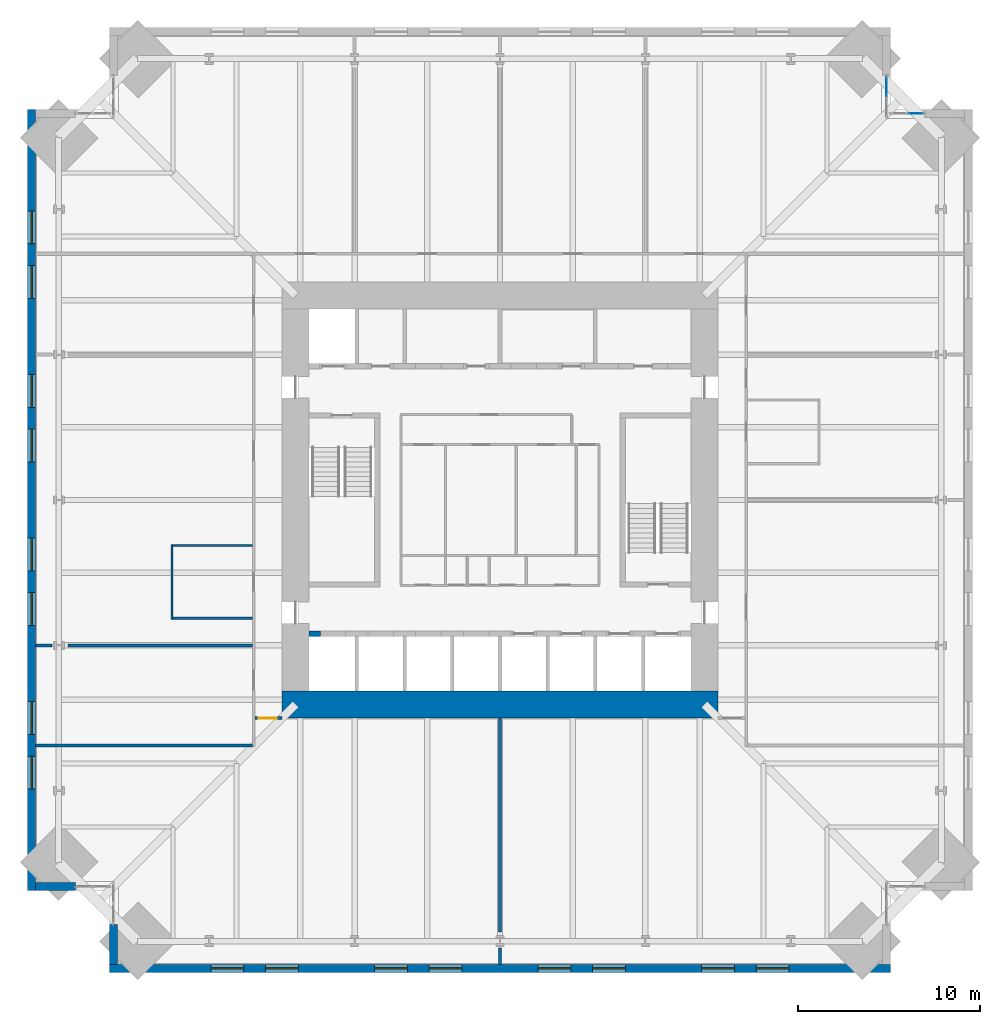
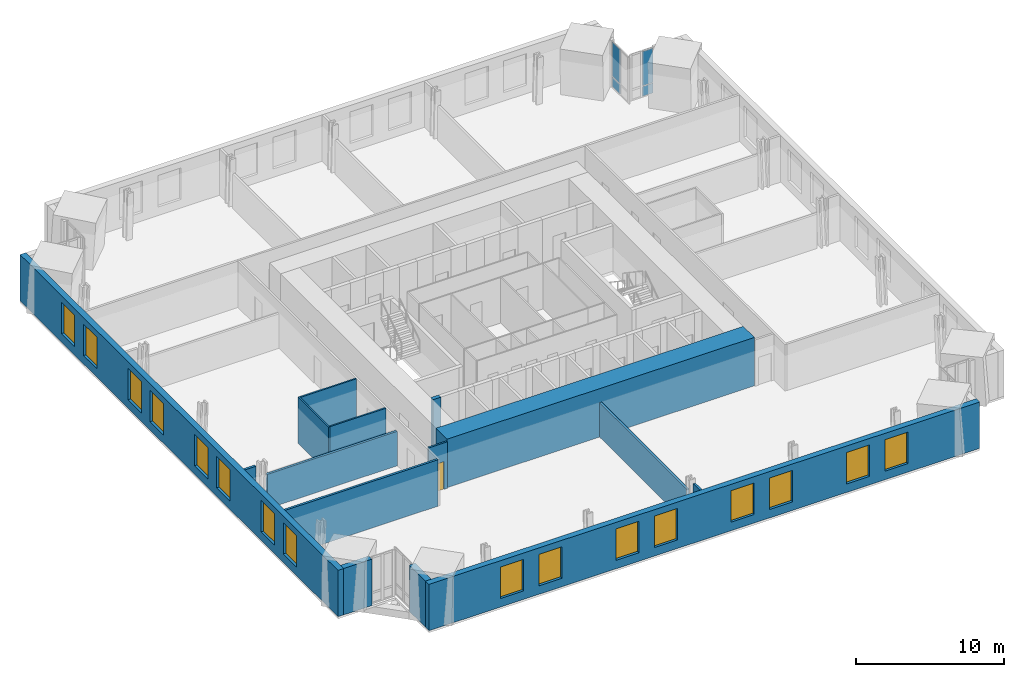
# One storey, part 13 of 18: 16 windows, 15 walls, 4 plates, 1 door, 17 openings, 2 elements without a shape of their own.
"""IFC4 building model written with IfcOpenShell, lengths in metres."""

import ifcopenshell
import ifcopenshell.guid

model = None  # the IFC model being written
_history = None  # IfcOwnerHistory: only IFC2X3 demands one
_inside = {}  # id of a spatial element -> (the spatial element, [elements in it])
_under = {}  # id of a project, library or spatial element -> (it, [spatial elements below it])
_declared = {}  # id of a project -> (the project, [libraries it declares])
_typed = {}  # id of a type object -> (the type object, [elements of that type])
_made_of = {}  # id of a material, layer set ... -> (it, [elements and type objects made of it])


def new_model(schema):
    """Start an empty IFC model of exactly this schema.

    Asked for "IFC4X3", IfcOpenShell would pick the latest addendum, in which some entities
    have other attributes; the version numbers below select the first issue.
    IFC2X3 requires an IfcOwnerHistory on every rooted entity: one is made here for all.
    """
    global model, _history
    if schema == "IFC4X3":
        model = ifcopenshell.file(schema_version=(4, 3, 0, 0))
    else:
        model = ifcopenshell.file(schema=schema)
    _inside.clear()
    _under.clear()
    _declared.clear()
    _typed.clear()
    _made_of.clear()
    _history = None
    if model.schema == "IFC2X3":
        org = make("IfcOrganization", Name="unknown")
        user = make(
            "IfcPersonAndOrganization",
            ThePerson=make("IfcPerson", FamilyName="unknown"),
            TheOrganization=org,
        )
        app = make(
            "IfcApplication",
            ApplicationDeveloper=org,
            Version="unknown",
            ApplicationFullName="unknown",
            ApplicationIdentifier="unknown",
        )
        _history = make(
            "IfcOwnerHistory",
            OwningUser=user,
            OwningApplication=app,
            ChangeAction="ADDED",
            CreationDate=0,
        )
    return model


def make(cls, **values):
    """One entity of the class cls with the attributes given. An attribute that is None is left unset."""
    return model.create_entity(
        cls, **{name: value for name, value in values.items() if value is not None}
    )


def rooted(cls, **values):
    """An entity with a GlobalId (a new one), such as an element, a storey or a relation."""
    return make(cls, GlobalId=ifcopenshell.guid.new(), OwnerHistory=_history, **values)


def si_unit(unit_type, name, prefix=None):
    """IfcSIUnit, for example si_unit("LENGTHUNIT", "METRE", prefix="MILLI")."""
    return make("IfcSIUnit", UnitType=unit_type, Prefix=prefix, Name=name)


def assignment(units):
    """IfcUnitAssignment: the units of a project."""
    return None if units is None else make("IfcUnitAssignment", Units=units)


def point(xyz):
    """IfcCartesianPoint."""
    return None if xyz is None else make("IfcCartesianPoint", Coordinates=xyz)


def direction(xyz):
    """IfcDirection."""
    return None if xyz is None else make("IfcDirection", DirectionRatios=xyz)


def frame(location, z_axis=None, x_axis=None):
    """IfcAxis2Placement3D, a coordinate frame: its origin and axes. An axis left out is left unset."""
    return make(
        "IfcAxis2Placement3D",
        Location=point(location),
        Axis=direction(z_axis),
        RefDirection=direction(x_axis),
    )


def frame_2d(location, x_axis=None):
    """IfcAxis2Placement2D, a coordinate frame in the plane: its origin and x axis."""
    return make(
        "IfcAxis2Placement2D", Location=point(location), RefDirection=direction(x_axis)
    )


def origin():
    """The frame at (0, 0, 0) with its axes left unset."""
    return frame((0.0, 0.0, 0.0))


def origin_2d():
    """The frame at (0, 0) in the plane with its x axis left unset."""
    return frame_2d((0.0, 0.0))


def place(relative_to, where):
    """IfcLocalPlacement: puts the frame where relative to a parent placement (None: the world)."""
    return make(
        "IfcLocalPlacement", PlacementRelTo=relative_to, RelativePlacement=where
    )


def context(
    kind, dimensions, precision=None, world=None, true_north=None, identifier=None
):
    """IfcGeometricRepresentationContext, for example the 3D "Model" context."""
    return make(
        "IfcGeometricRepresentationContext",
        ContextIdentifier=identifier,
        ContextType=kind,
        CoordinateSpaceDimension=dimensions,
        Precision=precision,
        WorldCoordinateSystem=world,
        TrueNorth=true_north,
    )


def subcontext(parent, identifier, kind, view, scale=None):
    """IfcGeometricRepresentationSubContext, for example "Body" below "Model"."""
    return make(
        "IfcGeometricRepresentationSubContext",
        ContextIdentifier=identifier,
        ContextType=kind,
        ParentContext=parent,
        TargetScale=scale,
        TargetView=view,
    )


def project(units=None, contexts=None):
    """IfcProject with its units and contexts."""
    return rooted(
        "IfcProject",
        Name="project",
        RepresentationContexts=contexts,
        UnitsInContext=assignment(units),
    )


def spatial(cls, under=None, at=None, **own):
    """A site, building, storey or space (cls), placed at a placement, below another one or the project."""
    s = rooted(cls, ObjectPlacement=at, **own)
    if under is not None:
        _under.setdefault(under.id(), (under, []))[1].append(s)
    return s


def profile(cls, at=None, kind="AREA", **sizes):
    """A parametric profile (cls). Its sizes go by their IFC names, for example OverallWidth=200.0."""
    return make(cls, ProfileType=kind, Position=at, **sizes)


def rectangle(**sizes):
    """IfcRectangleProfileDef."""
    return profile("IfcRectangleProfileDef", **sizes)


def extrude(swept, where, along, depth):
    """IfcExtrudedAreaSolid: the profile swept, set in the frame where, extruded along a direction by depth."""
    return make(
        "IfcExtrudedAreaSolid",
        SweptArea=swept,
        Position=where,
        ExtrudedDirection=direction(along),
        Depth=depth,
    )


def shape(context_of_items, identifier, shape_type, items):
    """IfcShapeRepresentation: the items that make up one representation, for example the "Body"."""
    return make(
        "IfcShapeRepresentation",
        ContextOfItems=context_of_items,
        RepresentationIdentifier=identifier,
        RepresentationType=shape_type,
        Items=items,
    )


def material(Name=None, Category=None):
    """IfcMaterial."""
    return make("IfcMaterial", Name=Name, Category=Category)


def layer(
    of_material, thickness, ventilated=None, Name=None, Category=None, Priority=None
):
    """IfcMaterialLayer: one layer of a wall or slab, of a material (None: an air gap)."""
    return make(
        "IfcMaterialLayer",
        Material=of_material,
        LayerThickness=thickness,
        IsVentilated=ventilated,
        Name=Name,
        Category=Category,
        Priority=Priority,
    )


def layer_set(layers, Name=None):
    """IfcMaterialLayerSet."""
    return make("IfcMaterialLayerSet", MaterialLayers=layers, LayerSetName=Name)


def made_of(thing, what):
    """Note that an element or type object is made of a material, layer set ...; save() writes the relation."""
    if what is not None:
        _made_of.setdefault(what.id(), (what, []))[1].append(thing)
    return thing


def type_object(cls, material=None, **own):
    """A type object (cls), such as IfcWallType, which elements share."""
    return made_of(rooted(cls, **own), material)


def element(
    cls,
    number,
    at=None,
    inside=None,
    cuts=None,
    type_object=None,
    material=None,
    context=None,
    identifier="Body",
    shape_type=None,
    held_by="IfcProductDefinitionShape",
    body=None,
    shapes=None,
    **own,
):
    """One element of the class cls, such as IfcWall. Its Tag is "e" and its number.

    at: its placement. inside: the storey or other place that contains it. cuts: it is an
    opening in that element (IfcRelVoidsElement). A single representation is given by context,
    identifier, shape_type and body (its items); several are given by shapes. held_by: the class
    of the entity that holds the representations. save() writes the other relations.
    """
    e = rooted(cls, Tag="e%d" % number, ObjectPlacement=at, **own)
    if body is not None:
        shapes = [shape(context, identifier, shape_type, body)]
    if shapes is not None:
        e.Representation = make(held_by, Representations=shapes)
    if inside is not None:
        _inside.setdefault(inside.id(), (inside, []))[1].append(e)
    if cuts is not None:
        rooted(
            "IfcRelVoidsElement", RelatingBuildingElement=cuts, RelatedOpeningElement=e
        )
    if type_object is not None:
        _typed.setdefault(type_object.id(), (type_object, []))[1].append(e)
    return made_of(e, material)


def fill(opening, filler):
    """IfcRelFillsElement: the door or window that sits in an opening."""
    return rooted(
        "IfcRelFillsElement",
        RelatingOpeningElement=opening,
        RelatedBuildingElement=filler,
    )


def aggregate(whole, parts):
    """IfcRelAggregates: a whole, such as a stair, and the parts it consists of."""
    return rooted("IfcRelAggregates", RelatingObject=whole, RelatedObjects=parts)


def save(model, path):
    """Write the relations noted so far, then the file.

    IfcRelAggregates (storeys below a building ...), IfcRelContainedInSpatialStructure (elements
    in a storey), IfcRelDefinesByType, IfcRelAssociatesMaterial and IfcRelDeclares: one each for
    every whole, place, type object, material and project.
    """
    for whole, parts in _under.values():
        aggregate(whole, parts)
    for where, things in _inside.values():
        rooted(
            "IfcRelContainedInSpatialStructure",
            RelatedElements=things,
            RelatingStructure=where,
        )
    for kind, things in _typed.values():
        rooted("IfcRelDefinesByType", RelatedObjects=things, RelatingType=kind)
    for what, things in _made_of.values():
        rooted("IfcRelAssociatesMaterial", RelatedObjects=things, RelatingMaterial=what)
    for by, libraries in _declared.values():
        rooted("IfcRelDeclares", RelatingContext=by, RelatedDefinitions=libraries)
    model.write(path)


model = new_model("IFC4")

# Units and contexts
model_context = context("Model", 3, precision=1e-05, world=origin(), true_north=direction((0.0, 1.0)))
body_context = subcontext(model_context, "Body", "Model", "MODEL_VIEW")
ifc_project = project(units=[si_unit("LENGTHUNIT", "METRE"), si_unit("AREAUNIT", "SQUARE_METRE"), si_unit("VOLUMEUNIT", "CUBIC_METRE"), si_unit("PLANEANGLEUNIT", "RADIAN"), si_unit("MASSUNIT", "GRAM", prefix="KILO")], contexts=[model_context])

# Site, building, storey
site_placement = place(None, origin())
site = spatial("IfcSite", under=ifc_project, at=site_placement, CompositionType="ELEMENT")
building_placement = place(site_placement, origin())
building = spatial("IfcBuilding", under=site, at=building_placement, Name="Peilmerk Tower", CompositionType="ELEMENT")
storey_placement = place(building_placement, frame((0.0, 0.0, 163.800048828125)))
storey = spatial("IfcBuildingStorey", under=building, at=storey_placement, Name="L34", CompositionType="ELEMENT", Elevation=163.800048828125)

# Curtain wall, plates
ifc_material_1 = material(Name="Aluminium stick curtain wall", Category="aluminium")
curtain_wall_type = type_object("IfcCurtainWallType", Name="CW3 stick curtain wall, 2250 module", PredefinedType="NOTDEFINED", material=ifc_material_1)
curtain_wall_1_placement = place(storey_placement, origin())
curtain_wall_1 = element("IfcCurtainWall", 1, at=curtain_wall_1_placement, inside=storey, type_object=curtain_wall_type, Name="Curtain wall CW3 NEA L34", PredefinedType="NOTDEFINED")
ifc_material_2 = material(Name="Clear insulated glazing unit", Category="glass")
ifc_layer_1 = layer(ifc_material_2, 0.028076171875)
ifc_layer_set_1 = layer_set([ifc_layer_1], Name="Clear insulated glazing unit")
plate_type = type_object("IfcPlateType", Name="CW3-P 28 glazed panel", PredefinedType="CURTAIN_PANEL", material=ifc_layer_set_1)
plate_1_placement = place(storey_placement, frame((21.27490234375, 22.750244140625, 0.06494140625), z_axis=(0.0, 0.0, 1.0), x_axis=(0.0, 1.0, 0.0)))
plate_1 = element("IfcPlate", 2, at=plate_1_placement, type_object=plate_type, Name="CW3 panel 2.1", PredefinedType="CURTAIN_PANEL", context=body_context, shape_type="SweptSolid", body=[
    extrude(rectangle(XDim=1.046875, YDim=0.028076171875, at=origin_2d()), origin(), (0.0, 0.0, 1.0), 0.802490234375),
])
plate_2_placement = place(storey_placement, frame((21.27490234375, 22.750244140625, 0.932373046875), z_axis=(0.0, 0.0, 1.0), x_axis=(0.0, 1.0, 0.0)))
plate_2 = element("IfcPlate", 3, at=plate_2_placement, type_object=plate_type, Name="CW3 panel 2.2", PredefinedType="CURTAIN_PANEL", context=body_context, shape_type="SweptSolid", body=[
    extrude(rectangle(XDim=1.046875, YDim=0.028076171875, at=origin_2d()), origin(), (0.0, 0.0, 1.0), 2.83251953125),
])
aggregate(curtain_wall_1, [plate_1, plate_2])

curtain_wall_2_placement = place(storey_placement, origin())
curtain_wall_2 = element("IfcCurtainWall", 4, at=curtain_wall_2_placement, inside=storey, type_object=curtain_wall_type, Name="Curtain wall CW3 NEB L34", PredefinedType="NOTDEFINED")
plate_3_placement = place(storey_placement, frame((22.86279296875, 21.27490234375, 0.06494140625), z_axis=(0.0, 0.0, 1.0), x_axis=(1.0, 0.0, 0.0)))
plate_3 = element("IfcPlate", 5, at=plate_3_placement, type_object=plate_type, Name="CW3 panel 2.1", PredefinedType="CURTAIN_PANEL", context=body_context, shape_type="SweptSolid", body=[
    extrude(rectangle(XDim=0.82177734375, YDim=0.028076171875, at=origin_2d()), origin(), (0.0, 0.0, 1.0), 0.802490234375),
])
plate_4_placement = place(storey_placement, frame((22.86279296875, 21.27490234375, 0.932373046875), z_axis=(0.0, 0.0, 1.0), x_axis=(1.0, 0.0, 0.0)))
plate_4 = element("IfcPlate", 6, at=plate_4_placement, type_object=plate_type, Name="CW3 panel 2.2", PredefinedType="CURTAIN_PANEL", context=body_context, shape_type="SweptSolid", body=[
    extrude(rectangle(XDim=0.82177734375, YDim=0.028076171875, at=origin_2d()), origin(), (0.0, 0.0, 1.0), 2.83251953125),
])
aggregate(curtain_wall_2, [plate_3, plate_4])

# Wall, openings, windows
ifc_material_3 = material(Name="Precast concrete C45/55, board-marked finish", Category="concrete")
ifc_layer_2 = layer(ifc_material_3, 0.449951171875)
ifc_layer_set_2 = layer_set([ifc_layer_2], Name="Precast concrete C45/55, board-marked finish")
wall_type_1 = type_object("IfcWallType", Name="EW1 450 precast concrete facade wall, board-marked", PredefinedType="SOLIDWALL", material=ifc_layer_set_2)
wall_1_placement = place(storey_placement, frame((-21.5, -25.77490234375, 0.0), z_axis=(0.0, 0.0, 1.0), x_axis=(1.0, 0.0, 0.0)))
wall_1 = element("IfcWall", 7, at=wall_1_placement, inside=storey, type_object=wall_type_1, Name="Facade wall S L34", PredefinedType="SOLIDWALL", context=body_context, shape_type="SweptSolid", body=[
    extrude(rectangle(XDim=43.0, YDim=0.449951171875, at=frame_2d((21.5, 0.0))), origin(), (0.0, 0.0, 1.0), 3.829833984375),
])
opening_1_placement = place(wall_1_placement, frame((5.60009765625, 0.0, 0.699951171875)))
opening_1 = element("IfcOpeningElement", 8, at=opening_1_placement, cuts=wall_1, Name="Opening W1", PredefinedType="OPENING", context=body_context, shape_type="SweptSolid", body=[
    extrude(rectangle(XDim=1.800048828125, YDim=2.60009765625, at=frame_2d((0.89990234375, 1.300048828125))), frame((0.0, 0.23486328125, 0.0), z_axis=(0.0, -1.0, 0.0), x_axis=(1.0, 0.0, 0.0)), (0.0, 0.0, 1.0), 0.469970703125),
])
opening_2_placement = place(wall_1_placement, frame((8.60009765625, 0.0, 0.699951171875)))
opening_2 = element("IfcOpeningElement", 9, at=opening_2_placement, cuts=wall_1, Name="Opening W1", PredefinedType="OPENING", context=body_context, shape_type="SweptSolid", body=[
    extrude(rectangle(XDim=1.800048828125, YDim=2.60009765625, at=frame_2d((0.89990234375, 1.300048828125))), frame((0.0, 0.23486328125, 0.0), z_axis=(0.0, -1.0, 0.0), x_axis=(1.0, 0.0, 0.0)), (0.0, 0.0, 1.0), 0.469970703125),
])
opening_3_placement = place(wall_1_placement, frame((14.60009765625, 0.0, 0.699951171875)))
opening_3 = element("IfcOpeningElement", 10, at=opening_3_placement, cuts=wall_1, Name="Opening W1", PredefinedType="OPENING", context=body_context, shape_type="SweptSolid", body=[
    extrude(rectangle(XDim=1.800048828125, YDim=2.60009765625, at=frame_2d((0.89990234375, 1.300048828125))), frame((0.0, 0.23486328125, 0.0), z_axis=(0.0, -1.0, 0.0), x_axis=(1.0, 0.0, 0.0)), (0.0, 0.0, 1.0), 0.469970703125),
])
opening_4_placement = place(wall_1_placement, frame((17.60009765625, 0.0, 0.699951171875)))
opening_4 = element("IfcOpeningElement", 11, at=opening_4_placement, cuts=wall_1, Name="Opening W1", PredefinedType="OPENING", context=body_context, shape_type="SweptSolid", body=[
    extrude(rectangle(XDim=1.800048828125, YDim=2.60009765625, at=frame_2d((0.89990234375, 1.300048828125))), frame((0.0, 0.23486328125, 0.0), z_axis=(0.0, -1.0, 0.0), x_axis=(1.0, 0.0, 0.0)), (0.0, 0.0, 1.0), 0.469970703125),
])
opening_5_placement = place(wall_1_placement, frame((23.60009765625, 0.0, 0.699951171875)))
opening_5 = element("IfcOpeningElement", 12, at=opening_5_placement, cuts=wall_1, Name="Opening W1", PredefinedType="OPENING", context=body_context, shape_type="SweptSolid", body=[
    extrude(rectangle(XDim=1.800048828125, YDim=2.60009765625, at=frame_2d((0.89990234375, 1.300048828125))), frame((0.0, 0.23486328125, 0.0), z_axis=(0.0, -1.0, 0.0), x_axis=(1.0, 0.0, 0.0)), (0.0, 0.0, 1.0), 0.469970703125),
])
opening_6_placement = place(wall_1_placement, frame((26.60009765625, 0.0, 0.699951171875)))
opening_6 = element("IfcOpeningElement", 13, at=opening_6_placement, cuts=wall_1, Name="Opening W1", PredefinedType="OPENING", context=body_context, shape_type="SweptSolid", body=[
    extrude(rectangle(XDim=1.800048828125, YDim=2.60009765625, at=frame_2d((0.89990234375, 1.300048828125))), frame((0.0, 0.23486328125, 0.0), z_axis=(0.0, -1.0, 0.0), x_axis=(1.0, 0.0, 0.0)), (0.0, 0.0, 1.0), 0.469970703125),
])
opening_7_placement = place(wall_1_placement, frame((32.60009765625, 0.0, 0.699951171875)))
opening_7 = element("IfcOpeningElement", 14, at=opening_7_placement, cuts=wall_1, Name="Opening W1", PredefinedType="OPENING", context=body_context, shape_type="SweptSolid", body=[
    extrude(rectangle(XDim=1.800048828125, YDim=2.60009765625, at=frame_2d((0.89990234375, 1.300048828125))), frame((0.0, 0.23486328125, 0.0), z_axis=(0.0, -1.0, 0.0), x_axis=(1.0, 0.0, 0.0)), (0.0, 0.0, 1.0), 0.469970703125),
])
opening_8_placement = place(wall_1_placement, frame((35.60009765625, 0.0, 0.699951171875)))
opening_8 = element("IfcOpeningElement", 15, at=opening_8_placement, cuts=wall_1, Name="Opening W1", PredefinedType="OPENING", context=body_context, shape_type="SweptSolid", body=[
    extrude(rectangle(XDim=1.800048828125, YDim=2.60009765625, at=frame_2d((0.89990234375, 1.300048828125))), frame((0.0, 0.23486328125, 0.0), z_axis=(0.0, -1.0, 0.0), x_axis=(1.0, 0.0, 0.0)), (0.0, 0.0, 1.0), 0.469970703125),
])
ifc_material_4 = material(Name="Aluminium frame, clear double glazing", Category="aluminium")
window_type = type_object("IfcWindowType", Name="W1 1800x2600 office window", PartitioningType="SINGLE_PANEL", PredefinedType="WINDOW", material=ifc_material_4)
window_1_placement = place(opening_1_placement, origin())
window_1 = element("IfcWindow", 16, at=window_1_placement, inside=storey, type_object=window_type, Name="Window W1 L34", OverallHeight=2.60009765625, OverallWidth=1.800048828125, PartitioningType="SINGLE_PANEL", PredefinedType="WINDOW", context=body_context, shape_type="SweptSolid", body=[
    extrude(rectangle(XDim=1.800048828125, YDim=2.60009765625, at=frame_2d((0.89990234375, 1.300048828125))), frame((0.0, 0.030029296875, 0.0), z_axis=(0.0, -1.0, 0.0), x_axis=(1.0, 0.0, 0.0)), (0.0, 0.0, 1.0), 0.06005859375),
])
fill(opening_1, window_1)
window_2_placement = place(opening_2_placement, origin())
window_2 = element("IfcWindow", 17, at=window_2_placement, inside=storey, type_object=window_type, Name="Window W1 L34", OverallHeight=2.60009765625, OverallWidth=1.800048828125, PartitioningType="SINGLE_PANEL", PredefinedType="WINDOW", context=body_context, shape_type="SweptSolid", body=[
    extrude(rectangle(XDim=1.800048828125, YDim=2.60009765625, at=frame_2d((0.89990234375, 1.300048828125))), frame((0.0, 0.030029296875, 0.0), z_axis=(0.0, -1.0, 0.0), x_axis=(1.0, 0.0, 0.0)), (0.0, 0.0, 1.0), 0.06005859375),
])
fill(opening_2, window_2)
window_3_placement = place(opening_3_placement, origin())
window_3 = element("IfcWindow", 18, at=window_3_placement, inside=storey, type_object=window_type, Name="Window W1 L34", OverallHeight=2.60009765625, OverallWidth=1.800048828125, PartitioningType="SINGLE_PANEL", PredefinedType="WINDOW", context=body_context, shape_type="SweptSolid", body=[
    extrude(rectangle(XDim=1.800048828125, YDim=2.60009765625, at=frame_2d((0.89990234375, 1.300048828125))), frame((0.0, 0.030029296875, 0.0), z_axis=(0.0, -1.0, 0.0), x_axis=(1.0, 0.0, 0.0)), (0.0, 0.0, 1.0), 0.06005859375),
])
fill(opening_3, window_3)
window_4_placement = place(opening_4_placement, origin())
window_4 = element("IfcWindow", 19, at=window_4_placement, inside=storey, type_object=window_type, Name="Window W1 L34", OverallHeight=2.60009765625, OverallWidth=1.800048828125, PartitioningType="SINGLE_PANEL", PredefinedType="WINDOW", context=body_context, shape_type="SweptSolid", body=[
    extrude(rectangle(XDim=1.800048828125, YDim=2.60009765625, at=frame_2d((0.89990234375, 1.300048828125))), frame((0.0, 0.030029296875, 0.0), z_axis=(0.0, -1.0, 0.0), x_axis=(1.0, 0.0, 0.0)), (0.0, 0.0, 1.0), 0.06005859375),
])
fill(opening_4, window_4)
window_5_placement = place(opening_5_placement, origin())
window_5 = element("IfcWindow", 20, at=window_5_placement, inside=storey, type_object=window_type, Name="Window W1 L34", OverallHeight=2.60009765625, OverallWidth=1.800048828125, PartitioningType="SINGLE_PANEL", PredefinedType="WINDOW", context=body_context, shape_type="SweptSolid", body=[
    extrude(rectangle(XDim=1.800048828125, YDim=2.60009765625, at=frame_2d((0.89990234375, 1.300048828125))), frame((0.0, 0.030029296875, 0.0), z_axis=(0.0, -1.0, 0.0), x_axis=(1.0, 0.0, 0.0)), (0.0, 0.0, 1.0), 0.06005859375),
])
fill(opening_5, window_5)
window_6_placement = place(opening_6_placement, origin())
window_6 = element("IfcWindow", 21, at=window_6_placement, inside=storey, type_object=window_type, Name="Window W1 L34", OverallHeight=2.60009765625, OverallWidth=1.800048828125, PartitioningType="SINGLE_PANEL", PredefinedType="WINDOW", context=body_context, shape_type="SweptSolid", body=[
    extrude(rectangle(XDim=1.800048828125, YDim=2.60009765625, at=frame_2d((0.89990234375, 1.300048828125))), frame((0.0, 0.030029296875, 0.0), z_axis=(0.0, -1.0, 0.0), x_axis=(1.0, 0.0, 0.0)), (0.0, 0.0, 1.0), 0.06005859375),
])
fill(opening_6, window_6)
window_7_placement = place(opening_7_placement, origin())
window_7 = element("IfcWindow", 22, at=window_7_placement, inside=storey, type_object=window_type, Name="Window W1 L34", OverallHeight=2.60009765625, OverallWidth=1.800048828125, PartitioningType="SINGLE_PANEL", PredefinedType="WINDOW", context=body_context, shape_type="SweptSolid", body=[
    extrude(rectangle(XDim=1.800048828125, YDim=2.60009765625, at=frame_2d((0.89990234375, 1.300048828125))), frame((0.0, 0.030029296875, 0.0), z_axis=(0.0, -1.0, 0.0), x_axis=(1.0, 0.0, 0.0)), (0.0, 0.0, 1.0), 0.06005859375),
])
fill(opening_7, window_7)
window_8_placement = place(opening_8_placement, origin())
window_8 = element("IfcWindow", 23, at=window_8_placement, inside=storey, type_object=window_type, Name="Window W1 L34", OverallHeight=2.60009765625, OverallWidth=1.800048828125, PartitioningType="SINGLE_PANEL", PredefinedType="WINDOW", context=body_context, shape_type="SweptSolid", body=[
    extrude(rectangle(XDim=1.800048828125, YDim=2.60009765625, at=frame_2d((0.89990234375, 1.300048828125))), frame((0.0, 0.030029296875, 0.0), z_axis=(0.0, -1.0, 0.0), x_axis=(1.0, 0.0, 0.0)), (0.0, 0.0, 1.0), 0.06005859375),
])
fill(opening_8, window_8)

wall_2_placement = place(storey_placement, frame((-25.77490234375, 21.5, 0.0), z_axis=(0.0, 0.0, 1.0), x_axis=(0.0, -1.0, 0.0)))
wall_2 = element("IfcWall", 24, at=wall_2_placement, inside=storey, type_object=wall_type_1, Name="Facade wall W L34", PredefinedType="SOLIDWALL", context=body_context, shape_type="SweptSolid", body=[
    extrude(rectangle(XDim=43.0, YDim=0.449951171875, at=frame_2d((21.5, 0.0))), origin(), (0.0, 0.0, 1.0), 3.829833984375),
])
opening_9_placement = place(wall_2_placement, frame((5.60009765625, 0.0, 0.699951171875)))
opening_9 = element("IfcOpeningElement", 25, at=opening_9_placement, cuts=wall_2, Name="Opening W1", PredefinedType="OPENING", context=body_context, shape_type="SweptSolid", body=[
    extrude(rectangle(XDim=1.800048828125, YDim=2.60009765625, at=frame_2d((0.89990234375, 1.300048828125))), frame((0.0, 0.23486328125, 0.0), z_axis=(0.0, -1.0, 0.0), x_axis=(1.0, 0.0, 0.0)), (0.0, 0.0, 1.0), 0.469970703125),
])
opening_10_placement = place(wall_2_placement, frame((8.60009765625, 0.0, 0.699951171875)))
opening_10 = element("IfcOpeningElement", 26, at=opening_10_placement, cuts=wall_2, Name="Opening W1", PredefinedType="OPENING", context=body_context, shape_type="SweptSolid", body=[
    extrude(rectangle(XDim=1.800048828125, YDim=2.60009765625, at=frame_2d((0.89990234375, 1.300048828125))), frame((0.0, 0.23486328125, 0.0), z_axis=(0.0, -1.0, 0.0), x_axis=(1.0, 0.0, 0.0)), (0.0, 0.0, 1.0), 0.469970703125),
])
opening_11_placement = place(wall_2_placement, frame((14.60009765625, 0.0, 0.699951171875)))
opening_11 = element("IfcOpeningElement", 27, at=opening_11_placement, cuts=wall_2, Name="Opening W1", PredefinedType="OPENING", context=body_context, shape_type="SweptSolid", body=[
    extrude(rectangle(XDim=1.800048828125, YDim=2.60009765625, at=frame_2d((0.89990234375, 1.300048828125))), frame((0.0, 0.23486328125, 0.0), z_axis=(0.0, -1.0, 0.0), x_axis=(1.0, 0.0, 0.0)), (0.0, 0.0, 1.0), 0.469970703125),
])
opening_12_placement = place(wall_2_placement, frame((17.60009765625, 0.0, 0.699951171875)))
opening_12 = element("IfcOpeningElement", 28, at=opening_12_placement, cuts=wall_2, Name="Opening W1", PredefinedType="OPENING", context=body_context, shape_type="SweptSolid", body=[
    extrude(rectangle(XDim=1.800048828125, YDim=2.60009765625, at=frame_2d((0.89990234375, 1.300048828125))), frame((0.0, 0.23486328125, 0.0), z_axis=(0.0, -1.0, 0.0), x_axis=(1.0, 0.0, 0.0)), (0.0, 0.0, 1.0), 0.469970703125),
])
opening_13_placement = place(wall_2_placement, frame((23.60009765625, 0.0, 0.699951171875)))
opening_13 = element("IfcOpeningElement", 29, at=opening_13_placement, cuts=wall_2, Name="Opening W1", PredefinedType="OPENING", context=body_context, shape_type="SweptSolid", body=[
    extrude(rectangle(XDim=1.800048828125, YDim=2.60009765625, at=frame_2d((0.89990234375, 1.300048828125))), frame((0.0, 0.23486328125, 0.0), z_axis=(0.0, -1.0, 0.0), x_axis=(1.0, 0.0, 0.0)), (0.0, 0.0, 1.0), 0.469970703125),
])
opening_14_placement = place(wall_2_placement, frame((26.60009765625, 0.0, 0.699951171875)))
opening_14 = element("IfcOpeningElement", 30, at=opening_14_placement, cuts=wall_2, Name="Opening W1", PredefinedType="OPENING", context=body_context, shape_type="SweptSolid", body=[
    extrude(rectangle(XDim=1.800048828125, YDim=2.60009765625, at=frame_2d((0.89990234375, 1.300048828125))), frame((0.0, 0.23486328125, 0.0), z_axis=(0.0, -1.0, 0.0), x_axis=(1.0, 0.0, 0.0)), (0.0, 0.0, 1.0), 0.469970703125),
])
opening_15_placement = place(wall_2_placement, frame((32.60009765625, 0.0, 0.699951171875)))
opening_15 = element("IfcOpeningElement", 31, at=opening_15_placement, cuts=wall_2, Name="Opening W1", PredefinedType="OPENING", context=body_context, shape_type="SweptSolid", body=[
    extrude(rectangle(XDim=1.800048828125, YDim=2.60009765625, at=frame_2d((0.89990234375, 1.300048828125))), frame((0.0, 0.23486328125, 0.0), z_axis=(0.0, -1.0, 0.0), x_axis=(1.0, 0.0, 0.0)), (0.0, 0.0, 1.0), 0.469970703125),
])
opening_16_placement = place(wall_2_placement, frame((35.60009765625, 0.0, 0.699951171875)))
opening_16 = element("IfcOpeningElement", 32, at=opening_16_placement, cuts=wall_2, Name="Opening W1", PredefinedType="OPENING", context=body_context, shape_type="SweptSolid", body=[
    extrude(rectangle(XDim=1.800048828125, YDim=2.60009765625, at=frame_2d((0.89990234375, 1.300048828125))), frame((0.0, 0.23486328125, 0.0), z_axis=(0.0, -1.0, 0.0), x_axis=(1.0, 0.0, 0.0)), (0.0, 0.0, 1.0), 0.469970703125),
])
window_9_placement = place(opening_9_placement, origin())
window_9 = element("IfcWindow", 33, at=window_9_placement, inside=storey, type_object=window_type, Name="Window W1 L34", OverallHeight=2.60009765625, OverallWidth=1.800048828125, PartitioningType="SINGLE_PANEL", PredefinedType="WINDOW", context=body_context, shape_type="SweptSolid", body=[
    extrude(rectangle(XDim=1.800048828125, YDim=2.60009765625, at=frame_2d((0.89990234375, 1.300048828125))), frame((0.0, 0.030029296875, 0.0), z_axis=(0.0, -1.0, 0.0), x_axis=(1.0, 0.0, 0.0)), (0.0, 0.0, 1.0), 0.06005859375),
])
fill(opening_9, window_9)
window_10_placement = place(opening_10_placement, origin())
window_10 = element("IfcWindow", 34, at=window_10_placement, inside=storey, type_object=window_type, Name="Window W1 L34", OverallHeight=2.60009765625, OverallWidth=1.800048828125, PartitioningType="SINGLE_PANEL", PredefinedType="WINDOW", context=body_context, shape_type="SweptSolid", body=[
    extrude(rectangle(XDim=1.800048828125, YDim=2.60009765625, at=frame_2d((0.89990234375, 1.300048828125))), frame((0.0, 0.030029296875, 0.0), z_axis=(0.0, -1.0, 0.0), x_axis=(1.0, 0.0, 0.0)), (0.0, 0.0, 1.0), 0.06005859375),
])
fill(opening_10, window_10)
window_11_placement = place(opening_11_placement, origin())
window_11 = element("IfcWindow", 35, at=window_11_placement, inside=storey, type_object=window_type, Name="Window W1 L34", OverallHeight=2.60009765625, OverallWidth=1.800048828125, PartitioningType="SINGLE_PANEL", PredefinedType="WINDOW", context=body_context, shape_type="SweptSolid", body=[
    extrude(rectangle(XDim=1.800048828125, YDim=2.60009765625, at=frame_2d((0.89990234375, 1.300048828125))), frame((0.0, 0.030029296875, 0.0), z_axis=(0.0, -1.0, 0.0), x_axis=(1.0, 0.0, 0.0)), (0.0, 0.0, 1.0), 0.06005859375),
])
fill(opening_11, window_11)
window_12_placement = place(opening_12_placement, origin())
window_12 = element("IfcWindow", 36, at=window_12_placement, inside=storey, type_object=window_type, Name="Window W1 L34", OverallHeight=2.60009765625, OverallWidth=1.800048828125, PartitioningType="SINGLE_PANEL", PredefinedType="WINDOW", context=body_context, shape_type="SweptSolid", body=[
    extrude(rectangle(XDim=1.800048828125, YDim=2.60009765625, at=frame_2d((0.89990234375, 1.300048828125))), frame((0.0, 0.030029296875, 0.0), z_axis=(0.0, -1.0, 0.0), x_axis=(1.0, 0.0, 0.0)), (0.0, 0.0, 1.0), 0.06005859375),
])
fill(opening_12, window_12)
window_13_placement = place(opening_13_placement, origin())
window_13 = element("IfcWindow", 37, at=window_13_placement, inside=storey, type_object=window_type, Name="Window W1 L34", OverallHeight=2.60009765625, OverallWidth=1.800048828125, PartitioningType="SINGLE_PANEL", PredefinedType="WINDOW", context=body_context, shape_type="SweptSolid", body=[
    extrude(rectangle(XDim=1.800048828125, YDim=2.60009765625, at=frame_2d((0.89990234375, 1.300048828125))), frame((0.0, 0.030029296875, 0.0), z_axis=(0.0, -1.0, 0.0), x_axis=(1.0, 0.0, 0.0)), (0.0, 0.0, 1.0), 0.06005859375),
])
fill(opening_13, window_13)
window_14_placement = place(opening_14_placement, origin())
window_14 = element("IfcWindow", 38, at=window_14_placement, inside=storey, type_object=window_type, Name="Window W1 L34", OverallHeight=2.60009765625, OverallWidth=1.800048828125, PartitioningType="SINGLE_PANEL", PredefinedType="WINDOW", context=body_context, shape_type="SweptSolid", body=[
    extrude(rectangle(XDim=1.800048828125, YDim=2.60009765625, at=frame_2d((0.89990234375, 1.300048828125))), frame((0.0, 0.030029296875, 0.0), z_axis=(0.0, -1.0, 0.0), x_axis=(1.0, 0.0, 0.0)), (0.0, 0.0, 1.0), 0.06005859375),
])
fill(opening_14, window_14)
window_15_placement = place(opening_15_placement, origin())
window_15 = element("IfcWindow", 39, at=window_15_placement, inside=storey, type_object=window_type, Name="Window W1 L34", OverallHeight=2.60009765625, OverallWidth=1.800048828125, PartitioningType="SINGLE_PANEL", PredefinedType="WINDOW", context=body_context, shape_type="SweptSolid", body=[
    extrude(rectangle(XDim=1.800048828125, YDim=2.60009765625, at=frame_2d((0.89990234375, 1.300048828125))), frame((0.0, 0.030029296875, 0.0), z_axis=(0.0, -1.0, 0.0), x_axis=(1.0, 0.0, 0.0)), (0.0, 0.0, 1.0), 0.06005859375),
])
fill(opening_15, window_15)
window_16_placement = place(opening_16_placement, origin())
window_16 = element("IfcWindow", 40, at=window_16_placement, inside=storey, type_object=window_type, Name="Window W1 L34", OverallHeight=2.60009765625, OverallWidth=1.800048828125, PartitioningType="SINGLE_PANEL", PredefinedType="WINDOW", context=body_context, shape_type="SweptSolid", body=[
    extrude(rectangle(XDim=1.800048828125, YDim=2.60009765625, at=frame_2d((0.89990234375, 1.300048828125))), frame((0.0, 0.030029296875, 0.0), z_axis=(0.0, -1.0, 0.0), x_axis=(1.0, 0.0, 0.0)), (0.0, 0.0, 1.0), 0.06005859375),
])
fill(opening_16, window_16)

# Walls
for number, where, z_axis, x_axis, name in (
    (41, (-21.27490234375, -23.353759765625, 0.0), (0.0, 0.0, 1.0), (0.0, -1.0, 0.0), "Facade wall SWA L34"),
    (42, (-23.353759765625, -21.27490234375, 0.0), (0.0, 0.0, 1.0), (-1.0, 0.0, 0.0), "Facade wall SWB L34"),
):
    element("IfcWall", number, at=place(storey_placement, frame(where, z_axis=z_axis, x_axis=x_axis)), inside=storey, type_object=wall_type_1, Name=name, PredefinedType="SOLIDWALL", context=body_context, shape_type="SweptSolid", body=[
        extrude(rectangle(XDim=2.1962890625, YDim=0.449951171875, at=frame_2d((1.09814453125, 0.0))), origin(), (0.0, 0.0, 1.0), 3.829833984375),
    ])

# Wall, opening, door
ifc_material_5 = material(Name="Calcium silicate block", Category="masonry")
ifc_layer_3 = layer(ifc_material_5, 0.14990234375)
ifc_layer_set_3 = layer_set([ifc_layer_3], Name="Calcium silicate block")
wall_type_2 = type_object("IfcWallType", Name="IW1 150 corridor partition, EI 60", PredefinedType="PARTITIONING", material=ifc_layer_set_3)
wall_3_placement = place(storey_placement, frame((-12.0, -12.0, 0.0), z_axis=(0.0, 0.0, 1.0), x_axis=(-1.0, 0.0, 0.0)))
wall_3 = element("IfcWall", 43, at=wall_3_placement, inside=storey, type_object=wall_type_2, Name="Corridor wall SW L34", PredefinedType="PARTITIONING", context=body_context, shape_type="SweptSolid", body=[
    extrude(rectangle(XDim=1.47509765625, YDim=0.14990234375, at=frame_2d((0.737548828125, 0.0))), origin(), (0.0, 0.0, 1.0), 3.829833984375),
])
opening_17_placement = place(wall_3_placement, frame((0.27490234375, 0.0, 0.0)))
opening_17 = element("IfcOpeningElement", 44, at=opening_17_placement, cuts=wall_3, Name="Opening D1", PredefinedType="OPENING", context=body_context, shape_type="SweptSolid", body=[
    extrude(rectangle(XDim=1.0, YDim=2.300048828125, at=frame_2d((0.5, 1.14990234375))), frame((0.0, 0.0849609375, 0.0), z_axis=(0.0, -1.0, 0.0), x_axis=(1.0, 0.0, 0.0)), (0.0, 0.0, 1.0), 0.169921875),
])
ifc_material_6 = material(Name="Timber door in steel frame", Category="steel")
door_type = type_object("IfcDoorType", Name="D1 1000x2300 room door, EI2 30", OperationType="SINGLE_SWING_LEFT", PredefinedType="DOOR", material=ifc_material_6)
door_placement = place(opening_17_placement, origin())
door = element("IfcDoor", 45, at=door_placement, inside=storey, type_object=door_type, Name="Door Office L34", OperationType="SINGLE_SWING_LEFT", OverallHeight=2.300048828125, OverallWidth=1.0, PredefinedType="DOOR", context=body_context, shape_type="SweptSolid", body=[
    extrude(rectangle(XDim=1.0, YDim=2.300048828125, at=frame_2d((0.5, 1.14990234375))), frame((0.0, 0.02490234375, 0.0), z_axis=(0.0, -1.0, 0.0), x_axis=(1.0, 0.0, 0.0)), (0.0, 0.0, 1.0), 0.050048828125),
])
fill(opening_17, door)

# Walls
ifc_material_7 = material(Name="Plasterboard on steel studs, double boarded with mineral wool", Category="steel")
ifc_layer_4 = layer(ifc_material_7, 0.125)
ifc_layer_set_4 = layer_set([ifc_layer_4], Name="Plasterboard on steel studs, double boarded with mineral wool")
wall_type_3 = type_object("IfcWallType", Name="IW7 125 acoustic partition, EI 30", PredefinedType="PARTITIONING", material=ifc_layer_set_4)
wall_4_placement = place(storey_placement, frame((-18.050048828125, -6.5625, 0.0), z_axis=(0.0, 0.0, 1.0), x_axis=(0.0, 1.0, 0.0)))
element("IfcWall", 46, at=wall_4_placement, inside=storey, type_object=wall_type_3, Name="Acoustic partition Meeting room L34", PredefinedType="PARTITIONING", context=body_context, shape_type="SweptSolid", body=[
    extrude(rectangle(XDim=4.125, YDim=0.125, at=frame_2d((2.0625, 0.0))), origin(), (0.0, 0.0, 1.0), 3.829833984375),
])
for number, where, z_axis, x_axis, name in (
    (47, (-13.625, -6.5, 0.0), (0.0, 0.0, 1.0), (-1.0, 0.0, 0.0), "Acoustic partition Meeting room L34"),
    (48, (-13.625, -2.5, 0.0), (0.0, 0.0, 1.0), (-1.0, 0.0, 0.0), "Acoustic partition Meeting room L34"),
):
    element("IfcWall", number, at=place(storey_placement, frame(where, z_axis=z_axis, x_axis=x_axis)), inside=storey, type_object=wall_type_3, Name=name, PredefinedType="PARTITIONING", context=body_context, shape_type="SweptSolid", body=[
        extrude(rectangle(XDim=4.362548828125, YDim=0.125, at=frame_2d((2.18115234375, 0.0))), origin(), (0.0, 0.0, 1.0), 3.829833984375),
    ])
ifc_layer_5 = layer(ifc_material_5, 0.175048828125)
ifc_layer_set_5 = layer_set([ifc_layer_5], Name="Calcium silicate block")
wall_type_4 = type_object("IfcWallType", Name="IW8 175 tenant separating wall, EI 60", PredefinedType="PARTITIONING", material=ifc_layer_set_5)
wall_5_placement = place(storey_placement, frame((-13.625, -13.5, 0.0), z_axis=(0.0, 0.0, 1.0), x_axis=(-1.0, 0.0, 0.0)))
element("IfcWall", 49, at=wall_5_placement, inside=storey, type_object=wall_type_4, Name="Tenant separating wall SW L34", PredefinedType="PARTITIONING", context=body_context, shape_type="SweptSolid", body=[
    extrude(rectangle(XDim=11.925048828125, YDim=0.175048828125, at=frame_2d((5.96240234375, 0.0))), origin(), (0.0, 0.0, 1.0), 3.829833984375),
])
wall_6_placement = place(storey_placement, frame((0.0, -12.0, 0.0), z_axis=(0.0, 0.0, 1.0), x_axis=(0.0, -1.0, 0.0)))
element("IfcWall", 50, at=wall_6_placement, inside=storey, type_object=wall_type_4, Name="Tenant separating wall S1 L34", PredefinedType="PARTITIONING", context=body_context, shape_type="SweptSolid", body=[
    extrude(rectangle(XDim=11.7666015625, YDim=0.175048828125, at=frame_2d((5.88330078125, 0.0))), origin(), (0.0, 0.0, 1.0), 2.83984375),
])
wall_7_placement = place(storey_placement, frame((0.0, -24.656005859375, 0.0), z_axis=(0.0, 0.0, 1.0), x_axis=(0.0, -1.0, 0.0)))
element("IfcWall", 51, at=wall_7_placement, inside=storey, type_object=wall_type_4, Name="Tenant separating wall S1b L34", PredefinedType="PARTITIONING", context=body_context, shape_type="SweptSolid", body=[
    extrude(rectangle(XDim=0.89404296875, YDim=0.175048828125, at=frame_2d((0.447021484375, 0.0))), origin(), (0.0, 0.0, 1.0), 3.829833984375),
])
wall_8_placement = place(storey_placement, frame((-13.625, -8.0, 0.0), z_axis=(0.0, 0.0, 1.0), x_axis=(-1.0, 0.0, 0.0)))
element("IfcWall", 52, at=wall_8_placement, inside=storey, type_object=wall_type_4, Name="Tenant separating wall W1 L34", PredefinedType="PARTITIONING", context=body_context, shape_type="SweptSolid", body=[
    extrude(rectangle(XDim=10.1416015625, YDim=0.175048828125, at=frame_2d((5.07080078125, 0.0))), origin(), (0.0, 0.0, 1.0), 2.83984375),
])
wall_9_placement = place(storey_placement, frame((-24.656005859375, -8.0, 0.0), z_axis=(0.0, 0.0, 1.0), x_axis=(-1.0, 0.0, 0.0)))
element("IfcWall", 53, at=wall_9_placement, inside=storey, type_object=wall_type_4, Name="Tenant separating wall W1b L34", PredefinedType="PARTITIONING", context=body_context, shape_type="SweptSolid", body=[
    extrude(rectangle(XDim=0.89404296875, YDim=0.175048828125, at=frame_2d((0.447021484375, 0.0))), origin(), (0.0, 0.0, 1.0), 3.829833984375),
])
ifc_material_8 = material(Name="Concrete C55/67", Category="concrete")
ifc_layer_6 = layer(ifc_material_8, 1.5)
ifc_layer_set_6 = layer_set([ifc_layer_6], Name="Concrete C55/67")
wall_type_5 = type_object("IfcWallType", Name="SW1 1500 core wall", PredefinedType="SHEAR", material=ifc_layer_set_6)
wall_10_placement = place(storey_placement, frame((12.0, -11.25, 0.0), z_axis=(0.0, 0.0, 1.0), x_axis=(-1.0, 0.0, 0.0)))
element("IfcWall", 54, at=wall_10_placement, inside=storey, type_object=wall_type_5, Name="Core wall S L34", PredefinedType="SHEAR", context=body_context, shape_type="SweptSolid", body=[
    extrude(rectangle(XDim=24.0, YDim=1.5, at=frame_2d((12.0, 0.0))), origin(), (0.0, 0.0, 1.0), 4.0),
])
ifc_layer_7 = layer(ifc_material_8, 0.300048828125)
ifc_layer_set_7 = layer_set([ifc_layer_7], Name="Concrete C55/67")
wall_type_6 = type_object("IfcWallType", Name="SW2 300 lift bank pier", PredefinedType="SHEAR", material=ifc_layer_set_7)
wall_11_placement = place(storey_placement, frame((-10.5, -7.35009765625, 0.0), z_axis=(0.0, 0.0, 1.0), x_axis=(1.0, 0.0, 0.0)))
element("IfcWall", 55, at=wall_11_placement, inside=storey, type_object=wall_type_6, Name="Lift bank pier S L34", PredefinedType="SHEAR", context=body_context, shape_type="SweptSolid", body=[
    extrude(rectangle(XDim=0.612548828125, YDim=0.300048828125, at=frame_2d((0.30615234375, 0.0))), origin(), (0.0, 0.0, 1.0), 4.0),
])

save(model, "model.ifc")
